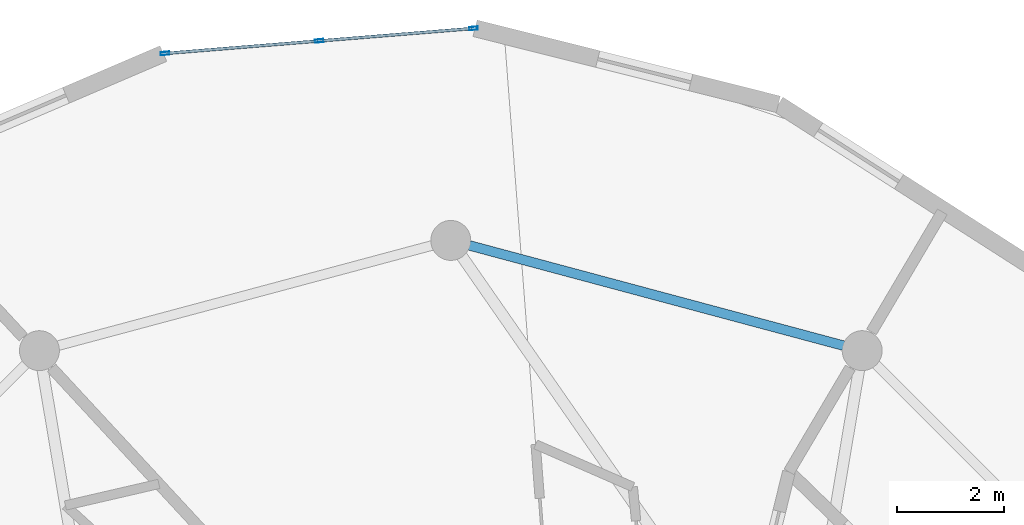
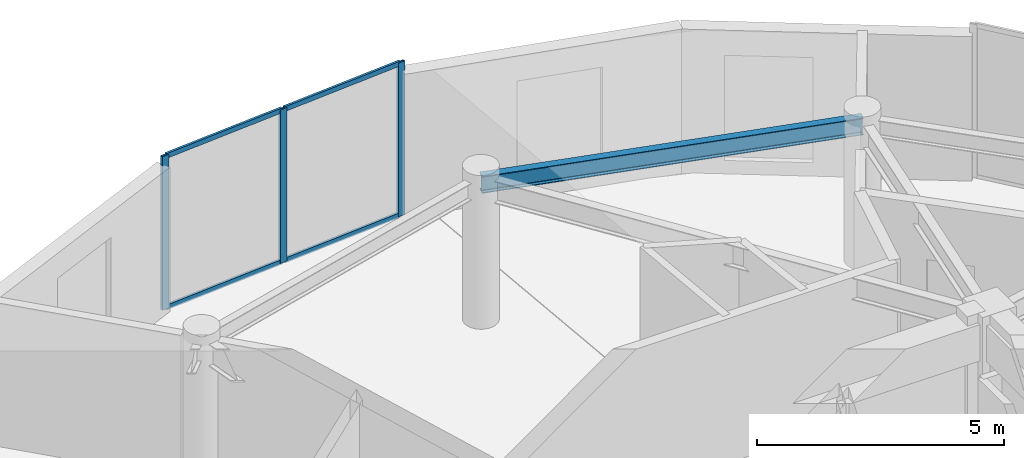
# One storey, part 14 of 22: 7 members, 1 beam, 1 element without a shape of its own.
"""IFC4 building model written with IfcOpenShell, lengths in metres."""

from ifc_helpers import new_model, si_unit, direction, frame, origin, origin_2d, place, context, subcontext, project, spatial, hollow_rectangle, i_section, extrude, source, transform, mapped, material, layer, layer_set, material_profile, profile_set, type_object, element, aggregate, save


model = new_model("IFC4")

# Units and contexts
model_context = context("Model", 3, precision=1e-05, world=origin(), true_north=direction((0.0, 1.0)))
body_context = subcontext(model_context, "Body", "Model", "MODEL_VIEW")
ifc_project = project(units=[si_unit("LENGTHUNIT", "METRE"), si_unit("AREAUNIT", "SQUARE_METRE"), si_unit("VOLUMEUNIT", "CUBIC_METRE"), si_unit("PLANEANGLEUNIT", "RADIAN"), si_unit("MASSUNIT", "GRAM", prefix="KILO")], contexts=[model_context])

# Site, building, storey
site_placement = place(None, origin())
site = spatial("IfcSite", under=ifc_project, at=site_placement, CompositionType="ELEMENT")
building_placement = place(site_placement, origin())
building = spatial("IfcBuilding", under=site, at=building_placement, Name="Solvirekh Grand Hotel", CompositionType="ELEMENT")
storey_placement = place(building_placement, frame((0.0, 0.0, 293.39990234375)))
storey = spatial("IfcBuildingStorey", under=building, at=storey_placement, Name="L76", CompositionType="ELEMENT", Elevation=293.39990234375)

# Beam
ifc_material_1 = material(Name="Steel S355", Category="steel")
ifc_material_profile_1 = material_profile(ifc_material_1, i_section(OverallWidth=0.180908203125, OverallDepth=0.4169921875, WebThickness=0.010009765625, FlangeThickness=0.01611328125, FilletRadius=0.011962890625, at=origin_2d()), Name="W410X85")
ifc_profile_set_1 = profile_set([ifc_material_profile_1], Name="Steel S355")
beam_type = type_object("IfcBeamType", Name="Spandrel_Ring_W410", PredefinedType="SPANDREL", material=ifc_profile_set_1)
beam_placement = place(storey_placement, frame((7.72509765625, 13.3798828125, 3.362060546875), z_axis=(-0.965921616143, 0.258834757072, 0.0), x_axis=(-0.258834757072, -0.965921616143, 0.0)))
element("IfcBeam", 1, at=beam_placement, inside=storey, type_object=beam_type, Name="L76 perimeter spandrel beam 3", PredefinedType="SPANDREL", context=body_context, shape_type="SweptSolid", body=[
    extrude(i_section(OverallWidth=0.180908203125, OverallDepth=0.4169921875, WebThickness=0.010009765625, FlangeThickness=0.01611328125, FilletRadius=0.011962890625, at=origin_2d()), origin(), (0.0, 0.0, 1.0), 7.99755859375),
])

# Curtain wall, members
ifc_material_2 = material(Name="Anodized Bronze Aluminium 6063-T6", Category="aluminium")
ifc_layer = layer(ifc_material_2, 0.159912109375)
ifc_layer_set = layer_set([ifc_layer], Name="Anodized Bronze Aluminium 6063-T6")
curtain_wall_type = type_object("IfcCurtainWallType", Name="CW_Sys4_HighZoneFlushBronzeCW", PredefinedType="NOTDEFINED", material=ifc_layer_set)
curtain_wall_placement = place(storey_placement, origin())
curtain_wall = element("IfcCurtainWall", 2, at=curtain_wall_placement, inside=storey, type_object=curtain_wall_type, Name="L76 unitised bronze-glass curtain wall CW-L76-C11", PredefinedType="NOTDEFINED")
ifc_material_profile_2 = material_profile(ifc_material_2, hollow_rectangle(XDim=0.06005859375, YDim=0.159912109375, WallThickness=0.0048828125, at=origin_2d()), Name="ALU RHS 160X60X5")
ifc_profile_set_2 = profile_set([ifc_material_profile_2], Name="Anodized Bronze Aluminium 6063-T6")
member_type_1 = type_object("IfcMemberType", Name="CWMullion_Sys4", PredefinedType="MULLION", material=ifc_profile_set_2)
shared_shape_1 = source(origin(), body_context, "Body", "SweptSolid", [
    extrude(hollow_rectangle(XDim=0.06005859375, YDim=0.159912109375, WallThickness=0.0048828125, at=origin_2d()), origin(), (0.0, 0.0, 1.0), 3.800048828125),
])
member_1_placement = place(storey_placement, frame((0.425048828125, 19.431640625, 0.0), z_axis=(0.0, 0.0, 1.0), x_axis=(0.080889027676, -0.996723113609, 0.0)))
member_1 = element("IfcMember", 3, at=member_1_placement, type_object=member_type_1, Name="U04 mullion 1", PredefinedType="MULLION", context=body_context, shape_type="MappedRepresentation", body=[
    mapped(shared_shape_1, transform((0.0, 0.0, 0.0), x_axis=(1.0, 0.0, 0.0), y_axis=(0.0, 1.0, 0.0), z_axis=(0.0, 0.0, 1.0), scale=1.0)),
])
member_2_placement = place(storey_placement, frame((-2.471435546875, 19.196533203125, 0.0), z_axis=(0.0, 0.0, 1.0), x_axis=(0.080889027676, -0.996723113609, 0.0)))
member_2 = element("IfcMember", 4, at=member_2_placement, type_object=member_type_1, Name="U04 mullion 2", PredefinedType="MULLION", context=body_context, shape_type="MappedRepresentation", body=[
    mapped(shared_shape_1, transform((0.0, 0.0, 0.0), x_axis=(1.0, 0.0, 0.0), y_axis=(0.0, 1.0, 0.0), z_axis=(0.0, 0.0, 1.0), scale=1.0)),
])
member_3_placement = place(storey_placement, frame((-5.3681640625, 18.96142578125, 0.0), z_axis=(0.0, 0.0, 1.0), x_axis=(0.080889027676, -0.996723113609, 0.0)))
member_3 = element("IfcMember", 5, at=member_3_placement, type_object=member_type_1, Name="U04 mullion 3", PredefinedType="MULLION", context=body_context, shape_type="MappedRepresentation", body=[
    mapped(shared_shape_1, transform((0.0, 0.0, 0.0), x_axis=(1.0, 0.0, 0.0), y_axis=(0.0, 1.0, 0.0), z_axis=(0.0, 0.0, 1.0), scale=1.0)),
])
ifc_material_profile_3 = material_profile(ifc_material_2, hollow_rectangle(XDim=0.054931640625, YDim=0.1201171875, WallThickness=0.00390625, at=origin_2d()), Name="ALU RHS 120X55X4")
ifc_profile_set_3 = profile_set([ifc_material_profile_3], Name="Anodized Bronze Aluminium 6063-T6")
member_type_2 = type_object("IfcMemberType", Name="CWTransom_Sys4", PredefinedType="USERDEFINED", material=ifc_profile_set_3)
shared_shape_2 = source(origin(), body_context, "Body", "SweptSolid", [
    extrude(hollow_rectangle(XDim=0.054931640625, YDim=0.1201171875, WallThickness=0.00390625, at=origin_2d()), origin(), (0.0, 0.0, 1.0), 2.845947265625),
])
member_4_placement = place(storey_placement, frame((-2.50146484375, 19.194091796875, 0.027587890625), z_axis=(-0.996722695289, -0.080894182086, 0.0), x_axis=(0.080894182086, -0.996722695289, 0.0)))
member_4 = element("IfcMember", 6, at=member_4_placement, type_object=member_type_2, Name="U04 transom 2.1", ObjectType="TRANSOM", PredefinedType="USERDEFINED", context=body_context, shape_type="MappedRepresentation", body=[
    mapped(shared_shape_2, transform((0.0, 0.0, 0.0), x_axis=(1.0, 0.0, 0.0), y_axis=(0.0, 1.0, 0.0), z_axis=(0.0, 0.0, 1.0), scale=1.0)),
])
member_5_placement = place(storey_placement, frame((-2.50146484375, 19.194091796875, 3.772705078125), z_axis=(-0.996722695289, -0.080894182086, 0.0), x_axis=(0.080894182086, -0.996722695289, 0.0)))
member_5 = element("IfcMember", 7, at=member_5_placement, type_object=member_type_2, Name="U04 transom 2.2", ObjectType="TRANSOM", PredefinedType="USERDEFINED", context=body_context, shape_type="MappedRepresentation", body=[
    mapped(shared_shape_2, transform((0.0, 0.0, 0.0), x_axis=(1.0, 0.0, 0.0), y_axis=(0.0, 1.0, 0.0), z_axis=(0.0, 0.0, 1.0), scale=1.0)),
])
shared_shape_3 = source(origin(), body_context, "Body", "SweptSolid", [
    extrude(hollow_rectangle(XDim=0.054931640625, YDim=0.1201171875, WallThickness=0.00390625, at=origin_2d()), origin(), (0.0, 0.0, 1.0), 2.84619140625),
])
member_6_placement = place(storey_placement, frame((0.395263671875, 19.42919921875, 0.027587890625), z_axis=(-0.996723256576, -0.080887266003, 0.0), x_axis=(0.080887266003, -0.996723256576, 0.0)))
member_6 = element("IfcMember", 8, at=member_6_placement, type_object=member_type_2, Name="U04 transom 1.1", ObjectType="TRANSOM", PredefinedType="USERDEFINED", context=body_context, shape_type="MappedRepresentation", body=[
    mapped(shared_shape_3, transform((0.0, 0.0, 0.0), x_axis=(1.0, 0.0, 0.0), y_axis=(0.0, 1.0, 0.0), z_axis=(0.0, 0.0, 1.0), scale=1.0)),
])
member_7_placement = place(storey_placement, frame((0.395263671875, 19.42919921875, 3.772705078125), z_axis=(-0.996723256576, -0.080887266003, 0.0), x_axis=(0.080887266003, -0.996723256576, 0.0)))
member_7 = element("IfcMember", 9, at=member_7_placement, type_object=member_type_2, Name="U04 transom 1.2", ObjectType="TRANSOM", PredefinedType="USERDEFINED", context=body_context, shape_type="MappedRepresentation", body=[
    mapped(shared_shape_3, transform((0.0, 0.0, 0.0), x_axis=(1.0, 0.0, 0.0), y_axis=(0.0, 1.0, 0.0), z_axis=(0.0, 0.0, 1.0), scale=1.0)),
])
aggregate(curtain_wall, [member_1, member_2, member_3, member_6, member_7, member_4, member_5])

save(model, "model.ifc")
